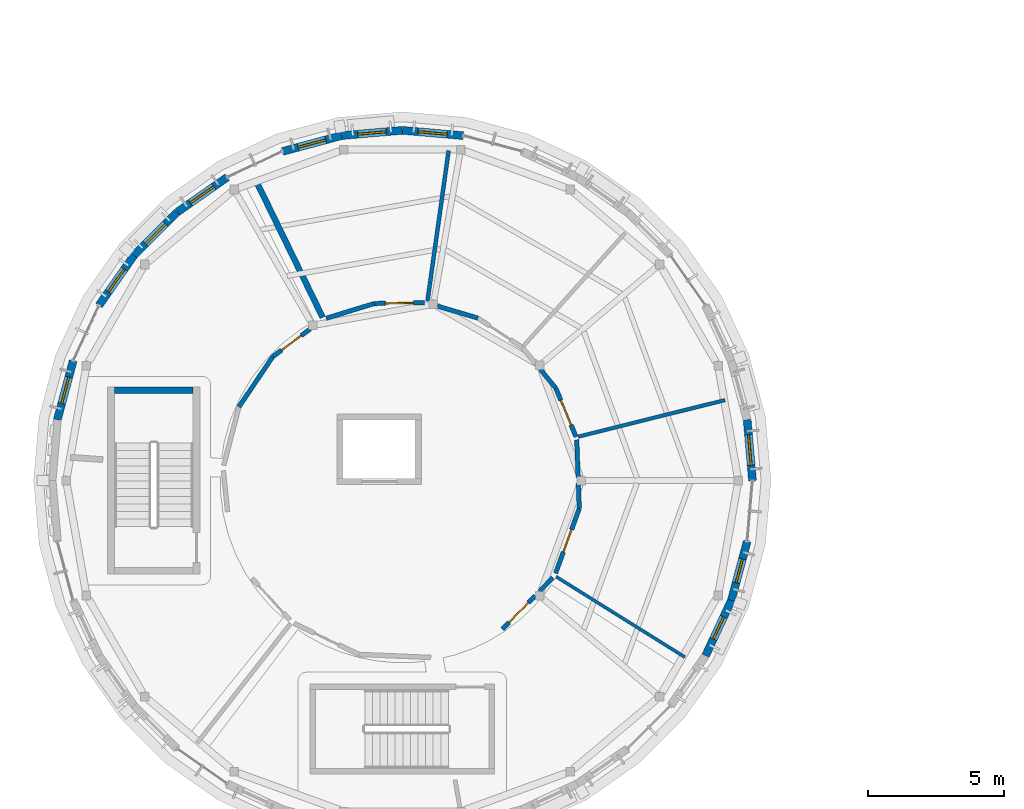
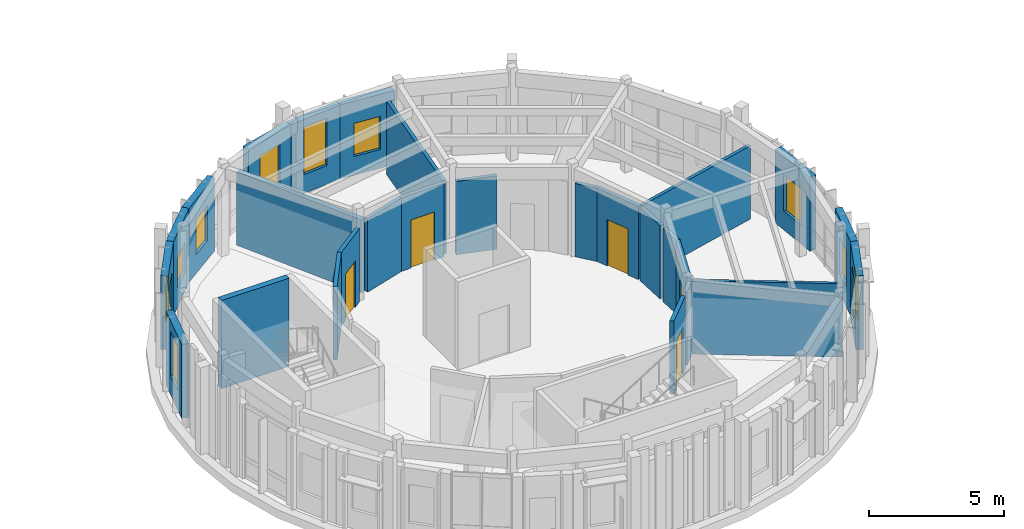
# One storey, part 18 of 37: 27 walls, 10 windows, 5 doors, 15 openings.
"""IFC4 building model written with IfcOpenShell, lengths in metres."""

from ifc_helpers import new_model, si_unit, direction, frame, frame_2d, origin, place, context, subcontext, project, spatial, rectangle, extrude, material, layer, layer_set, type_object, element, fill, save


model = new_model("IFC4")

# Units and contexts
model_context = context("Model", 3, precision=1e-05, world=origin(), true_north=direction((0.0, 1.0)))
body_context = subcontext(model_context, "Body", "Model", "MODEL_VIEW")
ifc_project = project(units=[si_unit("LENGTHUNIT", "METRE"), si_unit("AREAUNIT", "SQUARE_METRE"), si_unit("VOLUMEUNIT", "CUBIC_METRE"), si_unit("PLANEANGLEUNIT", "RADIAN"), si_unit("MASSUNIT", "GRAM", prefix="KILO")], contexts=[model_context])

# Site, building, storey
site_placement = place(None, origin())
site = spatial("IfcSite", under=ifc_project, at=site_placement, CompositionType="ELEMENT")
building_placement = place(site_placement, origin())
building = spatial("IfcBuilding", under=site, at=building_placement, Name="Aldenvaro Health Centre", CompositionType="ELEMENT")
storey_placement = place(building_placement, frame((0.0, 0.0, 12.949951171875)))
storey = spatial("IfcBuildingStorey", under=building, at=storey_placement, Name="L03", CompositionType="ELEMENT", Elevation=12.949951171875)

# Wall
ifc_material_1 = material(Name="Gypsum Stud Acoustic Assembly")
ifc_layer_1 = layer(ifc_material_1, 0.14501953125, Name="Gypsum Stud Acoustic Assembly")
ifc_layer_set_1 = layer_set([ifc_layer_1], Name="Gypsum Stud Acoustic Assembly")
wall_type_1 = type_object("IfcWallType", Name="WL-CLN-145", PredefinedType="PARTITIONING", material=ifc_layer_set_1)
wall_1_placement = place(storey_placement, frame((19.429931640625, 25.117919921875, 0.0), z_axis=(0.0, 0.0, 1.0), x_axis=(0.139279606871, 0.990253094471, 0.0)))
element("IfcWall", 1, at=wall_1_placement, inside=storey, type_object=wall_type_1, Name="D5 L03 clinical partition 8.1", PredefinedType="PARTITIONING", context=body_context, shape_type="SweptSolid", body=[
    extrude(rectangle(XDim=5.58642578125, YDim=0.14501953125, at=frame_2d((2.793212890625, 0.0))), origin(), (0.0, 0.0, 1.0), 3.323974609375),
])

# Wall, opening, door
ifc_layer_2 = layer(ifc_material_1, 0.1650390625, Name="Gypsum Stud Acoustic Assembly")
ifc_layer_set_2 = layer_set([ifc_layer_2], Name="Gypsum Stud Acoustic Assembly")
wall_type_2 = type_object("IfcWallType", Name="WL-COR-165", PredefinedType="PARTITIONING", material=ifc_layer_set_2)
wall_2_placement = place(storey_placement, frame((15.10693359375, 24.0830078125, 0.0), z_axis=(0.0, 0.0, 1.0), x_axis=(-0.802996920627, -0.595983175487, 0.0)))
wall_2 = element("IfcWall", 2, at=wall_2_placement, inside=storey, type_object=wall_type_2, Name="D5 L03 corridor wall 01.1", PredefinedType="PARTITIONING", context=body_context, shape_type="SweptSolid", body=[
    extrude(rectangle(XDim=1.71484375, YDim=0.1650390625, at=frame_2d((0.857421875, 0.0))), origin(), (0.0, 0.0, 1.0), 3.323974609375),
])
opening_1_placement = place(wall_2_placement, frame((0.406982421875, 0.0, 0.0)))
opening_1 = element("IfcOpeningElement", 3, at=opening_1_placement, cuts=wall_2, Name="Opening WD-01", PredefinedType="OPENING", context=body_context, shape_type="SweptSolid", body=[
    extrude(rectangle(XDim=0.89990234375, YDim=2.10009765625, at=frame_2d((0.449951171875, 1.050048828125))), frame((0.0, 0.092529296875, 0.0), z_axis=(0.0, -1.0, 0.0), x_axis=(1.0, 0.0, 0.0)), (0.0, 0.0, 1.0), 0.18505859375),
])
ifc_material_2 = material(Name="Moisture-Resistant Laminate Door")
door_type_1 = type_object("IfcDoorType", Name="DR-WC-01", OperationType="NOTDEFINED", PredefinedType="DOOR", material=ifc_material_2)
door_1_placement = place(opening_1_placement, origin())
door_1 = element("IfcDoor", 4, at=door_1_placement, inside=storey, type_object=door_type_1, Name="Cardiopulmonary Diagnostics Lab Door", OperationType="SINGLE_SWING_LEFT", OverallHeight=2.10009765625, OverallWidth=0.89990234375, PredefinedType="DOOR", context=body_context, shape_type="SweptSolid", body=[
    extrude(rectangle(XDim=0.89990234375, YDim=2.10009765625, at=frame_2d((0.449951171875, 1.050048828125))), frame((0.0, 0.02490234375, 0.0), z_axis=(0.0, -1.0, 0.0), x_axis=(1.0, 0.0, 0.0)), (0.0, 0.0, 1.0), 0.050048828125),
])
fill(opening_1, door_1)

# Wall
wall_3_placement = place(storey_placement, frame((13.72998046875, 23.06103515625, 0.0), z_axis=(0.0, 0.0, 1.0), x_axis=(-0.559294051813, -0.828969338159, 0.0)))
element("IfcWall", 5, at=wall_3_placement, inside=storey, type_object=wall_type_2, Name="D5 L03 corridor wall 01.2", PredefinedType="PARTITIONING", context=body_context, shape_type="SweptSolid", body=[
    extrude(rectangle(XDim=2.22802734375, YDim=0.1650390625, at=frame_2d((1.114013671875, 0.0))), origin(), (0.0, 0.0, 1.0), 3.323974609375),
])

# Wall, opening, door
wall_4_placement = place(storey_placement, frame((22.19091796875, 13.028076171875, 0.0), z_axis=(0.0, 0.0, 1.0), x_axis=(0.699827160014, 0.714312218926, 0.0)))
wall_4 = element("IfcWall", 6, at=wall_4_placement, inside=storey, type_object=wall_type_2, Name="D5 L03 corridor wall 04.1", PredefinedType="PARTITIONING", context=body_context, shape_type="SweptSolid", body=[
    extrude(rectangle(XDim=1.71923828125, YDim=0.1650390625, at=frame_2d((0.859619140625, 0.0))), origin(), (0.0, 0.0, 1.0), 3.323974609375),
])
opening_2_placement = place(wall_4_placement, frame((0.35400390625, 0.0, 0.0)))
opening_2 = element("IfcOpeningElement", 7, at=opening_2_placement, cuts=wall_4, Name="Opening D-19", PredefinedType="OPENING", context=body_context, shape_type="SweptSolid", body=[
    extrude(rectangle(XDim=1.010009765625, YDim=2.14990234375, at=frame_2d((0.5048828125, 1.074951171875))), frame((0.0, 0.092529296875, 0.0), z_axis=(0.0, -1.0, 0.0), x_axis=(1.0, 0.0, 0.0)), (0.0, 0.0, 1.0), 0.18505859375),
])
ifc_material_3 = material(Name="Exam Suite Timber Door", Category="wood")
door_type_2 = type_object("IfcDoorType", Name="DR-CLN-19", OperationType="NOTDEFINED", PredefinedType="DOOR", material=ifc_material_3)
door_2_placement = place(opening_2_placement, origin())
door_2 = element("IfcDoor", 8, at=door_2_placement, inside=storey, type_object=door_type_2, Name="Specialist Imaging Consulting Room Door", OperationType="SINGLE_SWING_RIGHT", OverallHeight=2.14990234375, OverallWidth=1.010009765625, PredefinedType="DOOR", context=body_context, shape_type="SweptSolid", body=[
    extrude(rectangle(XDim=1.010009765625, YDim=2.14990234375, at=frame_2d((0.5048828125, 1.074951171875))), frame((0.0, 0.02490234375, 0.0), z_axis=(0.0, -1.0, 0.0), x_axis=(1.0, 0.0, 0.0)), (0.0, 0.0, 1.0), 0.050048828125),
])
fill(opening_2, door_2)

# Wall
wall_5_placement = place(storey_placement, frame((23.554931640625, 14.419921875, 0.0), z_axis=(0.0, 0.0, 1.0), x_axis=(0.699921466631, 0.714219812487, 0.0)))
element("IfcWall", 9, at=wall_5_placement, inside=storey, type_object=wall_type_2, Name="D5 L03 corridor wall 04.2", PredefinedType="PARTITIONING", context=body_context, shape_type="SweptSolid", body=[
    extrude(rectangle(XDim=0.699951171875, YDim=0.1650390625, at=frame_2d((0.35009765625, 0.0))), origin(), (0.0, 0.0, 1.0), 3.323974609375),
])

# Wall, opening, door
wall_6_placement = place(storey_placement, frame((24.14794921875, 15.0859375, 0.0), z_axis=(0.0, 0.0, 1.0), x_axis=(0.343442799129, 0.939173596161, 0.0)))
wall_6 = element("IfcWall", 10, at=wall_6_placement, inside=storey, type_object=wall_type_2, Name="D5 L03 corridor wall 05.1", PredefinedType="PARTITIONING", context=body_context, shape_type="SweptSolid", body=[
    extrude(rectangle(XDim=2.536376953125, YDim=0.1650390625, at=frame_2d((1.26806640625, 0.0))), origin(), (0.0, 0.0, 1.0), 3.323974609375),
])
opening_3_placement = place(wall_6_placement, frame((0.827880859375, 0.0, 0.0)))
opening_3 = element("IfcOpeningElement", 11, at=opening_3_placement, cuts=wall_6, Name="Opening UD-01", PredefinedType="OPENING", context=body_context, shape_type="SweptSolid", body=[
    extrude(rectangle(XDim=0.8798828125, YDim=2.10009765625, at=frame_2d((0.43994140625, 1.050048828125))), frame((0.0, 0.092529296875, 0.0), z_axis=(0.0, -1.0, 0.0), x_axis=(1.0, 0.0, 0.0)), (0.0, 0.0, 1.0), 0.18505859375),
])
ifc_material_4 = material(Name="Clean Supply Store Door")
door_type_3 = type_object("IfcDoorType", Name="DR-STR-01", OperationType="NOTDEFINED", PredefinedType="DOOR", material=ifc_material_4)
door_3_placement = place(opening_3_placement, origin())
door_3 = element("IfcDoor", 12, at=door_3_placement, inside=storey, type_object=door_type_3, Name="Clean Equipment Store Door", OperationType="SINGLE_SWING_LEFT", OverallHeight=2.10009765625, OverallWidth=0.8798828125, PredefinedType="DOOR", context=body_context, shape_type="SweptSolid", body=[
    extrude(rectangle(XDim=0.8798828125, YDim=2.10009765625, at=frame_2d((0.43994140625, 1.050048828125))), frame((0.0, 0.02490234375, 0.0), z_axis=(0.0, -1.0, 0.0), x_axis=(1.0, 0.0, 0.0)), (0.0, 0.0, 1.0), 0.050048828125),
])
fill(opening_3, door_3)

# Walls
wall_7_placement = place(storey_placement, frame((25.01904296875, 17.468017578125, 0.0), z_axis=(0.0, 0.0, 1.0), x_axis=(-0.0359192981, 0.999354693802, 0.0)))
element("IfcWall", 13, at=wall_7_placement, inside=storey, type_object=wall_type_2, Name="D5 L03 corridor wall 05.2", PredefinedType="PARTITIONING", context=body_context, shape_type="SweptSolid", body=[
    extrude(rectangle(XDim=0.91748046875, YDim=0.1650390625, at=frame_2d((0.458740234375, 0.0))), origin(), (0.0, 0.0, 1.0), 3.323974609375),
])
wall_8_placement = place(storey_placement, frame((24.97705078125, 18.60595703125, 0.0), z_axis=(0.0, 0.0, 1.0), x_axis=(-0.035828677701, 0.999357946811, 0.0)))
element("IfcWall", 14, at=wall_8_placement, inside=storey, type_object=wall_type_2, Name="D5 L03 corridor wall 05.3", PredefinedType="PARTITIONING", context=body_context, shape_type="SweptSolid", body=[
    extrude(rectangle(XDim=1.39697265625, YDim=0.1650390625, at=frame_2d((0.698486328125, 0.0))), origin(), (0.0, 0.0, 1.0), 3.323974609375),
])

# Wall, opening, door
wall_9_placement = place(storey_placement, frame((24.902099609375, 20.10595703125, 0.0), z_axis=(0.0, 0.0, 1.0), x_axis=(-0.383758104383, 0.923433656155, 0.0)))
wall_9 = element("IfcWall", 15, at=wall_9_placement, inside=storey, type_object=wall_type_2, Name="D5 L03 corridor wall 06.1", PredefinedType="PARTITIONING", context=body_context, shape_type="SweptSolid", body=[
    extrude(rectangle(XDim=1.941650390625, YDim=0.1650390625, at=frame_2d((0.970703125, 0.0))), origin(), (0.0, 0.0, 1.0), 3.323974609375),
])
opening_4_placement = place(wall_9_placement, frame((0.48095703125, 0.0, 0.0)))
opening_4 = element("IfcOpeningElement", 16, at=opening_4_placement, cuts=wall_9, Name="Opening WD-03", PredefinedType="OPENING", context=body_context, shape_type="SweptSolid", body=[
    extrude(rectangle(XDim=0.97998046875, YDim=2.10009765625, at=frame_2d((0.489990234375, 1.050048828125))), frame((0.0, 0.092529296875, 0.0), z_axis=(0.0, -1.0, 0.0), x_axis=(1.0, 0.0, 0.0)), (0.0, 0.0, 1.0), 0.18505859375),
])
ifc_material_5 = material(Name="Bariatric Accessible Sanitary Door")
door_type_4 = type_object("IfcDoorType", Name="DR-WC-03", OperationType="NOTDEFINED", PredefinedType="DOOR", material=ifc_material_5)
door_4_placement = place(opening_4_placement, origin())
door_4 = element("IfcDoor", 17, at=door_4_placement, inside=storey, type_object=door_type_4, Name="Male Patient WC Door", OperationType="SINGLE_SWING_RIGHT", OverallHeight=2.10009765625, OverallWidth=0.97998046875, PredefinedType="DOOR", context=body_context, shape_type="SweptSolid", body=[
    extrude(rectangle(XDim=0.97998046875, YDim=2.10009765625, at=frame_2d((0.489990234375, 1.050048828125))), frame((0.0, 0.02490234375, 0.0), z_axis=(0.0, -1.0, 0.0), x_axis=(1.0, 0.0, 0.0)), (0.0, 0.0, 1.0), 0.050048828125),
])
fill(opening_4, door_4)

# Walls
wall_10_placement = place(storey_placement, frame((24.156982421875, 21.89892578125, 0.0), z_axis=(0.0, 0.0, 1.0), x_axis=(-0.634915552235, 0.772581543612, 0.0)))
element("IfcWall", 18, at=wall_10_placement, inside=storey, type_object=wall_type_2, Name="D5 L03 corridor wall 06.2", PredefinedType="PARTITIONING", context=body_context, shape_type="SweptSolid", body=[
    extrude(rectangle(XDim=0.88671875, YDim=0.1650390625, at=frame_2d((0.443359375, 0.0))), origin(), (0.0, 0.0, 1.0), 3.323974609375),
])
wall_11_placement = place(storey_placement, frame((21.2890625, 24.48193359375, 0.0), z_axis=(0.0, 0.0, 1.0), x_axis=(-0.958588240181, 0.284795691305, 0.0)))
element("IfcWall", 19, at=wall_11_placement, inside=storey, type_object=wall_type_2, Name="D5 L03 corridor wall 07.2", PredefinedType="PARTITIONING", context=body_context, shape_type="SweptSolid", body=[
    extrude(rectangle(XDim=1.562744140625, YDim=0.1650390625, at=frame_2d((0.78125, 0.0))), origin(), (0.0, 0.0, 1.0), 3.323974609375),
])

# Wall, opening, door
wall_12_placement = place(storey_placement, frame((19.321044921875, 25.049072265625, 0.0), z_axis=(0.0, 0.0, 1.0), x_axis=(-0.999868716198, -0.016203406073, 0.0)))
wall_12 = element("IfcWall", 20, at=wall_12_placement, inside=storey, type_object=wall_type_2, Name="D5 L03 corridor wall 08.1", PredefinedType="PARTITIONING", context=body_context, shape_type="SweptSolid", body=[
    extrude(rectangle(XDim=1.853271484375, YDim=0.1650390625, at=frame_2d((0.9267578125, 0.0))), origin(), (0.0, 0.0, 1.0), 3.323974609375),
])
opening_5_placement = place(wall_12_placement, frame((0.412109375, 0.0, 0.0)))
opening_5 = element("IfcOpeningElement", 21, at=opening_5_placement, cuts=wall_12, Name="Opening D-20", PredefinedType="OPENING", context=body_context, shape_type="SweptSolid", body=[
    extrude(rectangle(XDim=1.030029296875, YDim=2.179931640625, at=frame_2d((0.51513671875, 1.08984375))), frame((0.0, 0.092529296875, 0.0), z_axis=(0.0, -1.0, 0.0), x_axis=(1.0, 0.0, 0.0)), (0.0, 0.0, 1.0), 0.18505859375),
])
door_type_5 = type_object("IfcDoorType", Name="DR-CLN-20", OperationType="NOTDEFINED", PredefinedType="DOOR", material=ifc_material_3)
door_5_placement = place(opening_5_placement, origin())
door_5 = element("IfcDoor", 22, at=door_5_placement, inside=storey, type_object=door_type_5, Name="Staff Pantry Door", OperationType="SINGLE_SWING_RIGHT", OverallHeight=2.179931640625, OverallWidth=1.030029296875, PredefinedType="DOOR", context=body_context, shape_type="SweptSolid", body=[
    extrude(rectangle(XDim=1.030029296875, YDim=2.179931640625, at=frame_2d((0.51513671875, 1.08984375))), frame((0.0, 0.02490234375, 0.0), z_axis=(0.0, -1.0, 0.0), x_axis=(1.0, 0.0, 0.0)), (0.0, 0.0, 1.0), 0.050048828125),
])
fill(opening_5, door_5)

# Wall
wall_13_placement = place(storey_placement, frame((17.468017578125, 25.01904296875, 0.0), z_axis=(0.0, 0.0, 1.0), x_axis=(-0.955870034048, -0.293789853483, 0.0)))
element("IfcWall", 23, at=wall_13_placement, inside=storey, type_object=wall_type_2, Name="D5 L03 corridor wall 08.2", PredefinedType="PARTITIONING", context=body_context, shape_type="SweptSolid", body=[
    extrude(rectangle(XDim=1.854736328125, YDim=0.1650390625, at=frame_2d((0.92724609375, 0.0))), origin(), (0.0, 0.0, 1.0), 3.323974609375),
])

# Wall, opening, window
ifc_material_6 = material(Name="Cross-laminated timber CLT E1", Category="wood")
ifc_layer_3 = layer(ifc_material_6, 0.2900390625, Name="Cross-laminated timber CLT E1", Category="wood")
ifc_layer_set_3 = layer_set([ifc_layer_3], Name="Cross-laminated timber CLT E1")
wall_type_3 = type_object("IfcWallType", Name="WL-EXT-290", PredefinedType="ELEMENTEDWALL", material=ifc_layer_set_3)
wall_14_placement = place(storey_placement, frame((31.2041015625, 16.260009765625, 0.0), z_axis=(0.0, 0.0, 1.0), x_axis=(-0.258824721145, -0.96592430538, 0.0)))
wall_14 = element("IfcWall", 24, at=wall_14_placement, inside=storey, type_object=wall_type_3, Name="D5 L03 exterior wall 02", PredefinedType="ELEMENTEDWALL", context=body_context, shape_type="SweptSolid", body=[
    extrude(rectangle(XDim=2.248779296875, YDim=0.2900390625, at=frame_2d((1.12451171875, 0.0))), origin(), (0.0, 0.0, 1.0), 3.34912109375),
])
opening_6_placement = place(wall_14_placement, frame((0.674072265625, 0.0, 0.85009765625)))
opening_6 = element("IfcOpeningElement", 25, at=opening_6_placement, cuts=wall_14, Name="Opening W-06", PredefinedType="OPENING", context=body_context, shape_type="SweptSolid", body=[
    extrude(rectangle(XDim=0.89990234375, YDim=1.64990234375, at=frame_2d((0.449951171875, 0.824951171875))), frame((0.0, 0.155029296875, 0.0), z_axis=(0.0, -1.0, 0.0), x_axis=(1.0, 0.0, 0.0)), (0.0, 0.0, 1.0), 0.31005859375),
])
ifc_material_7 = material(Name="Thermally Broken Aluminium Low-E Glass", Category="aluminium")
window_type_1 = type_object("IfcWindowType", Name="WN-EXT-06", PartitioningType="SINGLE_PANEL", PredefinedType="WINDOW", material=ifc_material_7)
window_1_placement = place(opening_6_placement, origin())
window_1 = element("IfcWindow", 26, at=window_1_placement, inside=storey, type_object=window_type_1, Name="D5 L03 clinical window 02", OverallHeight=1.64990234375, OverallWidth=0.89990234375, PartitioningType="SINGLE_PANEL", PredefinedType="WINDOW", context=body_context, shape_type="SweptSolid", body=[
    extrude(rectangle(XDim=0.89990234375, YDim=1.64990234375, at=frame_2d((0.449951171875, 0.824951171875))), frame((0.0, 0.030029296875, 0.0), z_axis=(0.0, -1.0, 0.0), x_axis=(1.0, 0.0, 0.0)), (0.0, 0.0, 1.0), 0.06005859375),
])
fill(opening_6, window_1)

wall_15_placement = place(storey_placement, frame((30.6220703125, 14.087890625, 0.0), z_axis=(0.0, 0.0, 1.0), x_axis=(-0.422504983593, -0.906360600886, 0.0)))
wall_15 = element("IfcWall", 27, at=wall_15_placement, inside=storey, type_object=wall_type_3, Name="D5 L03 exterior wall 03", PredefinedType="ELEMENTEDWALL", context=body_context, shape_type="SweptSolid", body=[
    extrude(rectangle(XDim=2.248291015625, YDim=0.2900390625, at=frame_2d((1.1240234375, 0.0))), origin(), (0.0, 0.0, 1.0), 3.34912109375),
])
opening_7_placement = place(wall_15_placement, frame((0.674072265625, 0.0, 0.85009765625)))
opening_7 = element("IfcOpeningElement", 28, at=opening_7_placement, cuts=wall_15, Name="Opening W-07", PredefinedType="OPENING", context=body_context, shape_type="SweptSolid", body=[
    extrude(rectangle(XDim=0.89990234375, YDim=1.89990234375, at=frame_2d((0.449951171875, 0.949951171875))), frame((0.0, 0.155029296875, 0.0), z_axis=(0.0, -1.0, 0.0), x_axis=(1.0, 0.0, 0.0)), (0.0, 0.0, 1.0), 0.31005859375),
])
window_type_2 = type_object("IfcWindowType", Name="WN-EXT-07", PartitioningType="SINGLE_PANEL", PredefinedType="WINDOW", material=ifc_material_7)
window_2_placement = place(opening_7_placement, origin())
window_2 = element("IfcWindow", 29, at=window_2_placement, inside=storey, type_object=window_type_2, Name="D5 L03 clinical window 03", OverallHeight=1.89990234375, OverallWidth=0.89990234375, PartitioningType="SINGLE_PANEL", PredefinedType="WINDOW", context=body_context, shape_type="SweptSolid", body=[
    extrude(rectangle(XDim=0.89990234375, YDim=1.89990234375, at=frame_2d((0.449951171875, 0.949951171875))), frame((0.0, 0.030029296875, 0.0), z_axis=(0.0, -1.0, 0.0), x_axis=(1.0, 0.0, 0.0)), (0.0, 0.0, 1.0), 0.06005859375),
])
fill(opening_7, window_2)

wall_16_placement = place(storey_placement, frame((5.7958984375, 20.739990234375, 0.0), z_axis=(0.0, 0.0, 1.0), x_axis=(0.258824721145, 0.96592430538, 0.0)))
wall_16 = element("IfcWall", 30, at=wall_16_placement, inside=storey, type_object=wall_type_3, Name="D5 L03 exterior wall 20", PredefinedType="ELEMENTEDWALL", context=body_context, shape_type="SweptSolid", body=[
    extrude(rectangle(XDim=2.248779296875, YDim=0.2900390625, at=frame_2d((1.12451171875, 0.0))), origin(), (0.0, 0.0, 1.0), 3.34912109375),
])
opening_8_placement = place(wall_16_placement, frame((0.6240234375, 0.0, 0.85009765625)))
opening_8 = element("IfcOpeningElement", 31, at=opening_8_placement, cuts=wall_16, Name="Opening W-17", PredefinedType="OPENING", context=body_context, shape_type="SweptSolid", body=[
    extrude(rectangle(XDim=1.0, YDim=2.0, at=frame_2d((0.5, 1.0))), frame((0.0, 0.155029296875, 0.0), z_axis=(0.0, -1.0, 0.0), x_axis=(1.0, 0.0, 0.0)), (0.0, 0.0, 1.0), 0.31005859375),
])
window_type_3 = type_object("IfcWindowType", Name="WN-EXT-17", PartitioningType="SINGLE_PANEL", PredefinedType="WINDOW", material=ifc_material_7)
window_3_placement = place(opening_8_placement, origin())
window_3 = element("IfcWindow", 32, at=window_3_placement, inside=storey, type_object=window_type_3, Name="D5 L03 clinical window 20", OverallHeight=2.0, OverallWidth=1.0, PartitioningType="SINGLE_PANEL", PredefinedType="WINDOW", context=body_context, shape_type="SweptSolid", body=[
    extrude(rectangle(XDim=1.0, YDim=2.0, at=frame_2d((0.5, 1.0))), frame((0.0, 0.030029296875, 0.0), z_axis=(0.0, -1.0, 0.0), x_axis=(1.0, 0.0, 0.0)), (0.0, 0.0, 1.0), 0.06005859375),
])
fill(opening_8, window_3)

wall_17_placement = place(storey_placement, frame((7.327880859375, 24.949951171875, 0.0), z_axis=(0.0, 0.0, 1.0), x_axis=(0.573644482107, 0.819104393925, 0.0)))
wall_17 = element("IfcWall", 33, at=wall_17_placement, inside=storey, type_object=wall_type_3, Name="D5 L03 exterior wall 22", PredefinedType="ELEMENTEDWALL", context=body_context, shape_type="SweptSolid", body=[
    extrude(rectangle(XDim=2.248779296875, YDim=0.2900390625, at=frame_2d((1.12451171875, 0.0))), origin(), (0.0, 0.0, 1.0), 3.34912109375),
])
opening_9_placement = place(wall_17_placement, frame((0.614013671875, 0.0, 0.85009765625)))
opening_9 = element("IfcOpeningElement", 34, at=opening_9_placement, cuts=wall_17, Name="Opening W-18", PredefinedType="OPENING", context=body_context, shape_type="SweptSolid", body=[
    extrude(rectangle(XDim=1.02001953125, YDim=1.60009765625, at=frame_2d((0.510009765625, 0.800048828125))), frame((0.0, 0.155029296875, 0.0), z_axis=(0.0, -1.0, 0.0), x_axis=(1.0, 0.0, 0.0)), (0.0, 0.0, 1.0), 0.31005859375),
])
window_type_4 = type_object("IfcWindowType", Name="WN-EXT-18", PartitioningType="SINGLE_PANEL", PredefinedType="WINDOW", material=ifc_material_7)
window_4_placement = place(opening_9_placement, origin())
window_4 = element("IfcWindow", 35, at=window_4_placement, inside=storey, type_object=window_type_4, Name="D5 L03 clinical window 22", OverallHeight=1.60009765625, OverallWidth=1.02001953125, PartitioningType="SINGLE_PANEL", PredefinedType="WINDOW", context=body_context, shape_type="SweptSolid", body=[
    extrude(rectangle(XDim=1.02001953125, YDim=1.60009765625, at=frame_2d((0.510009765625, 0.800048828125))), frame((0.0, 0.030029296875, 0.0), z_axis=(0.0, -1.0, 0.0), x_axis=(1.0, 0.0, 0.0)), (0.0, 0.0, 1.0), 0.06005859375),
])
fill(opening_9, window_4)

wall_18_placement = place(storey_placement, frame((8.617919921875, 26.7919921875, 0.0), z_axis=(0.0, 0.0, 1.0), x_axis=(0.707106781187, 0.707106781187, 0.0)))
wall_18 = element("IfcWall", 36, at=wall_18_placement, inside=storey, type_object=wall_type_3, Name="D5 L03 exterior wall 23", PredefinedType="ELEMENTEDWALL", context=body_context, shape_type="SweptSolid", body=[
    extrude(rectangle(XDim=2.248779296875, YDim=0.2900390625, at=frame_2d((1.12451171875, 0.0))), origin(), (0.0, 0.0, 1.0), 3.34912109375),
])
opening_10_placement = place(wall_18_placement, frame((0.59912109375, 0.0, 0.85009765625)))
opening_10 = element("IfcOpeningElement", 37, at=opening_10_placement, cuts=wall_18, Name="Opening W-19", PredefinedType="OPENING", context=body_context, shape_type="SweptSolid", body=[
    extrude(rectangle(XDim=1.050048828125, YDim=1.35009765625, at=frame_2d((0.52490234375, 0.675048828125))), frame((0.0, 0.155029296875, 0.0), z_axis=(0.0, -1.0, 0.0), x_axis=(1.0, 0.0, 0.0)), (0.0, 0.0, 1.0), 0.31005859375),
])
window_type_5 = type_object("IfcWindowType", Name="WN-EXT-19", PartitioningType="SINGLE_PANEL", PredefinedType="WINDOW", material=ifc_material_7)
window_5_placement = place(opening_10_placement, origin())
window_5 = element("IfcWindow", 38, at=window_5_placement, inside=storey, type_object=window_type_5, Name="D5 L03 clinical window 23", OverallHeight=1.35009765625, OverallWidth=1.050048828125, PartitioningType="SINGLE_PANEL", PredefinedType="WINDOW", context=body_context, shape_type="SweptSolid", body=[
    extrude(rectangle(XDim=1.050048828125, YDim=1.35009765625, at=frame_2d((0.52490234375, 0.675048828125))), frame((0.0, 0.030029296875, 0.0), z_axis=(0.0, -1.0, 0.0), x_axis=(1.0, 0.0, 0.0)), (0.0, 0.0, 1.0), 0.06005859375),
])
fill(opening_10, window_5)

wall_19_placement = place(storey_placement, frame((10.2080078125, 28.382080078125, 0.0), z_axis=(0.0, 0.0, 1.0), x_axis=(0.819104393925, 0.573644482107, 0.0)))
wall_19 = element("IfcWall", 39, at=wall_19_placement, inside=storey, type_object=wall_type_3, Name="D5 L03 exterior wall 24", PredefinedType="ELEMENTEDWALL", context=body_context, shape_type="SweptSolid", body=[
    extrude(rectangle(XDim=2.248779296875, YDim=0.2900390625, at=frame_2d((1.12451171875, 0.0))), origin(), (0.0, 0.0, 1.0), 3.34912109375),
])
opening_11_placement = place(wall_19_placement, frame((0.59912109375, 0.0, 0.85009765625)))
opening_11 = element("IfcOpeningElement", 40, at=opening_11_placement, cuts=wall_19, Name="Opening W-20", PredefinedType="OPENING", context=body_context, shape_type="SweptSolid", body=[
    extrude(rectangle(XDim=1.050048828125, YDim=1.60009765625, at=frame_2d((0.52490234375, 0.800048828125))), frame((0.0, 0.155029296875, 0.0), z_axis=(0.0, -1.0, 0.0), x_axis=(1.0, 0.0, 0.0)), (0.0, 0.0, 1.0), 0.31005859375),
])
window_type_6 = type_object("IfcWindowType", Name="WN-EXT-20", PartitioningType="SINGLE_PANEL", PredefinedType="WINDOW", material=ifc_material_7)
window_6_placement = place(opening_11_placement, origin())
window_6 = element("IfcWindow", 41, at=window_6_placement, inside=storey, type_object=window_type_6, Name="D5 L03 clinical window 24", OverallHeight=1.60009765625, OverallWidth=1.050048828125, PartitioningType="SINGLE_PANEL", PredefinedType="WINDOW", context=body_context, shape_type="SweptSolid", body=[
    extrude(rectangle(XDim=1.050048828125, YDim=1.60009765625, at=frame_2d((0.52490234375, 0.800048828125))), frame((0.0, 0.030029296875, 0.0), z_axis=(0.0, -1.0, 0.0), x_axis=(1.0, 0.0, 0.0)), (0.0, 0.0, 1.0), 0.06005859375),
])
fill(opening_11, window_6)

wall_20_placement = place(storey_placement, frame((14.087890625, 30.6220703125, 0.0), z_axis=(0.0, 0.0, 1.0), x_axis=(0.96592430538, 0.258824721145, 0.0)))
wall_20 = element("IfcWall", 42, at=wall_20_placement, inside=storey, type_object=wall_type_3, Name="D5 L03 exterior wall 26", PredefinedType="ELEMENTEDWALL", context=body_context, shape_type="SweptSolid", body=[
    extrude(rectangle(XDim=2.248779296875, YDim=0.2900390625, at=frame_2d((1.12451171875, 0.0))), origin(), (0.0, 0.0, 1.0), 3.34912109375),
])
opening_12_placement = place(wall_20_placement, frame((0.59912109375, 0.0, 0.85009765625)))
opening_12 = element("IfcOpeningElement", 43, at=opening_12_placement, cuts=wall_20, Name="Opening W-21", PredefinedType="OPENING", context=body_context, shape_type="SweptSolid", body=[
    extrude(rectangle(XDim=1.050048828125, YDim=1.89990234375, at=frame_2d((0.52490234375, 0.949951171875))), frame((0.0, 0.155029296875, 0.0), z_axis=(0.0, -1.0, 0.0), x_axis=(1.0, 0.0, 0.0)), (0.0, 0.0, 1.0), 0.31005859375),
])
window_type_7 = type_object("IfcWindowType", Name="WN-EXT-21", PartitioningType="SINGLE_PANEL", PredefinedType="WINDOW", material=ifc_material_7)
window_7_placement = place(opening_12_placement, origin())
window_7 = element("IfcWindow", 44, at=window_7_placement, inside=storey, type_object=window_type_7, Name="D5 L03 clinical window 26", OverallHeight=1.89990234375, OverallWidth=1.050048828125, PartitioningType="SINGLE_PANEL", PredefinedType="WINDOW", context=body_context, shape_type="SweptSolid", body=[
    extrude(rectangle(XDim=1.050048828125, YDim=1.89990234375, at=frame_2d((0.52490234375, 0.949951171875))), frame((0.0, 0.030029296875, 0.0), z_axis=(0.0, -1.0, 0.0), x_axis=(1.0, 0.0, 0.0)), (0.0, 0.0, 1.0), 0.06005859375),
])
fill(opening_12, window_7)

wall_21_placement = place(storey_placement, frame((16.260009765625, 31.2041015625, 0.0), z_axis=(0.0, 0.0, 1.0), x_axis=(0.996201374201, 0.087079400775, 0.0)))
wall_21 = element("IfcWall", 45, at=wall_21_placement, inside=storey, type_object=wall_type_3, Name="D5 L03 exterior wall 27", PredefinedType="ELEMENTEDWALL", context=body_context, shape_type="SweptSolid", body=[
    extrude(rectangle(XDim=2.24853515625, YDim=0.2900390625, at=frame_2d((1.124267578125, 0.0))), origin(), (0.0, 0.0, 1.0), 3.34912109375),
])
opening_13_placement = place(wall_21_placement, frame((0.59912109375, 0.0, 0.85009765625)))
opening_13 = element("IfcOpeningElement", 46, at=opening_13_placement, cuts=wall_21, Name="Opening W-22", PredefinedType="OPENING", context=body_context, shape_type="SweptSolid", body=[
    extrude(rectangle(XDim=1.050048828125, YDim=2.14990234375, at=frame_2d((0.52490234375, 1.074951171875))), frame((0.0, 0.155029296875, 0.0), z_axis=(0.0, -1.0, 0.0), x_axis=(1.0, 0.0, 0.0)), (0.0, 0.0, 1.0), 0.31005859375),
])
window_type_8 = type_object("IfcWindowType", Name="WN-EXT-22", PartitioningType="SINGLE_PANEL", PredefinedType="WINDOW", material=ifc_material_7)
window_8_placement = place(opening_13_placement, origin())
window_8 = element("IfcWindow", 47, at=window_8_placement, inside=storey, type_object=window_type_8, Name="D5 L03 clinical window 27", OverallHeight=2.14990234375, OverallWidth=1.050048828125, PartitioningType="SINGLE_PANEL", PredefinedType="WINDOW", context=body_context, shape_type="SweptSolid", body=[
    extrude(rectangle(XDim=1.050048828125, YDim=2.14990234375, at=frame_2d((0.52490234375, 1.074951171875))), frame((0.0, 0.030029296875, 0.0), z_axis=(0.0, -1.0, 0.0), x_axis=(1.0, 0.0, 0.0)), (0.0, 0.0, 1.0), 0.06005859375),
])
fill(opening_13, window_8)

wall_22_placement = place(storey_placement, frame((18.5, 31.39990234375, 0.0), z_axis=(0.0, 0.0, 1.0), x_axis=(0.996201374201, -0.087079400775, 0.0)))
wall_22 = element("IfcWall", 48, at=wall_22_placement, inside=storey, type_object=wall_type_3, Name="D5 L03 exterior wall 28", PredefinedType="ELEMENTEDWALL", context=body_context, shape_type="SweptSolid", body=[
    extrude(rectangle(XDim=2.24853515625, YDim=0.2900390625, at=frame_2d((1.124267578125, 0.0))), origin(), (0.0, 0.0, 1.0), 3.34912109375),
])
opening_14_placement = place(wall_22_placement, frame((0.583984375, 0.0, 0.85009765625)))
opening_14 = element("IfcOpeningElement", 49, at=opening_14_placement, cuts=wall_22, Name="Opening W-23", PredefinedType="OPENING", context=body_context, shape_type="SweptSolid", body=[
    extrude(rectangle(XDim=1.080078125, YDim=1.5, at=frame_2d((0.5400390625, 0.75))), frame((0.0, 0.155029296875, 0.0), z_axis=(0.0, -1.0, 0.0), x_axis=(1.0, 0.0, 0.0)), (0.0, 0.0, 1.0), 0.31005859375),
])
window_type_9 = type_object("IfcWindowType", Name="WN-EXT-23", PartitioningType="SINGLE_PANEL", PredefinedType="WINDOW", material=ifc_material_7)
window_9_placement = place(opening_14_placement, origin())
window_9 = element("IfcWindow", 50, at=window_9_placement, inside=storey, type_object=window_type_9, Name="D5 L03 clinical window 28", OverallHeight=1.5, OverallWidth=1.080078125, PartitioningType="SINGLE_PANEL", PredefinedType="WINDOW", context=body_context, shape_type="SweptSolid", body=[
    extrude(rectangle(XDim=1.080078125, YDim=1.5, at=frame_2d((0.5400390625, 0.75))), frame((0.0, 0.030029296875, 0.0), z_axis=(0.0, -1.0, 0.0), x_axis=(1.0, 0.0, 0.0)), (0.0, 0.0, 1.0), 0.06005859375),
])
fill(opening_14, window_9)

wall_23_placement = place(storey_placement, frame((31.2041015625, 20.739990234375, 0.0), z_axis=(0.0, 0.0, 1.0), x_axis=(0.087079400775, -0.996201374201, 0.0)))
wall_23 = element("IfcWall", 51, at=wall_23_placement, inside=storey, type_object=wall_type_3, Name="D5 L03 exterior wall 36", PredefinedType="ELEMENTEDWALL", context=body_context, shape_type="SweptSolid", body=[
    extrude(rectangle(XDim=2.24853515625, YDim=0.2900390625, at=frame_2d((1.124267578125, 0.0))), origin(), (0.0, 0.0, 1.0), 3.34912109375),
])
opening_15_placement = place(wall_23_placement, frame((0.56396484375, 0.0, 0.85009765625)))
opening_15 = element("IfcOpeningElement", 52, at=opening_15_placement, cuts=wall_23, Name="Opening W-29", PredefinedType="OPENING", context=body_context, shape_type="SweptSolid", body=[
    extrude(rectangle(XDim=1.1201171875, YDim=1.64990234375, at=frame_2d((0.56005859375, 0.824951171875))), frame((0.0, 0.155029296875, 0.0), z_axis=(0.0, -1.0, 0.0), x_axis=(1.0, 0.0, 0.0)), (0.0, 0.0, 1.0), 0.31005859375),
])
window_type_10 = type_object("IfcWindowType", Name="WN-EXT-29", PartitioningType="SINGLE_PANEL", PredefinedType="WINDOW", material=ifc_material_7)
window_10_placement = place(opening_15_placement, origin())
window_10 = element("IfcWindow", 53, at=window_10_placement, inside=storey, type_object=window_type_10, Name="D5 L03 clinical window 36", OverallHeight=1.64990234375, OverallWidth=1.1201171875, PartitioningType="SINGLE_PANEL", PredefinedType="WINDOW", context=body_context, shape_type="SweptSolid", body=[
    extrude(rectangle(XDim=1.1201171875, YDim=1.64990234375, at=frame_2d((0.56005859375, 0.824951171875))), frame((0.0, 0.030029296875, 0.0), z_axis=(0.0, -1.0, 0.0), x_axis=(1.0, 0.0, 0.0)), (0.0, 0.0, 1.0), 0.06005859375),
])
fill(opening_15, window_10)

# Walls
ifc_material_8 = material(Name="Concrete f'c 35 MPa", Category="concrete")
ifc_layer_4 = layer(ifc_material_8, 0.215087890625, Name="Concrete f'c 35 MPa", Category="concrete")
ifc_layer_set_4 = layer_set([ifc_layer_4], Name="Concrete f'c 35 MPa")
wall_type_4 = type_object("IfcWallType", Name="WL-IMG-215", PredefinedType="SOLIDWALL", material=ifc_layer_set_4)
wall_24_placement = place(storey_placement, frame((15.570068359375, 24.507080078125, 0.0), z_axis=(0.0, 0.0, 1.0), x_axis=(-0.438391683607, 0.898784029533, 0.0)))
element("IfcWall", 54, at=wall_24_placement, inside=storey, type_object=wall_type_4, Name="D5 L03 clinical partition 1.1", PredefinedType="SOLIDWALL", context=body_context, shape_type="SweptSolid", body=[
    extrude(rectangle(XDim=5.570556640625, YDim=0.215087890625, at=frame_2d((2.78515625, 0.0))), origin(), (0.0, 0.0, 1.0), 3.323974609375),
])
ifc_material_9 = material(Name="Concrete f'c 40 MPa", Category="concrete")
ifc_layer_5 = layer(ifc_material_9, 0.25, Name="Concrete f'c 40 MPa", Category="concrete")
ifc_layer_set_5 = layer_set([ifc_layer_5], Name="Concrete f'c 40 MPa")
wall_type_5 = type_object("IfcWallType", Name="WL-SHAFT-250", PredefinedType="SHEAR", material=ifc_layer_set_5)
wall_25_placement = place(storey_placement, frame((10.800048828125, 21.824951171875, 0.0), z_axis=(0.0, 0.0, 1.0), x_axis=(-1.0, 0.0, 0.0)))
element("IfcWall", 55, at=wall_25_placement, inside=storey, type_object=wall_type_5, Name="ST-09 L03 side core wall R", PredefinedType="SHEAR", context=body_context, shape_type="SweptSolid", body=[
    extrude(rectangle(XDim=2.900146484375, YDim=0.25, at=frame_2d((1.4501953125, 0.0))), origin(), (0.0, 0.0, 1.0), 3.9951171875),
])
ifc_material_10 = material(Name="Light Gauge Steel Stud Partition", Category="steel")
ifc_layer_6 = layer(ifc_material_10, 0.114990234375, Name="Light Gauge Steel Stud Partition", Category="steel")
ifc_layer_set_6 = layer_set([ifc_layer_6], Name="Light Gauge Steel Stud Partition")
wall_type_6 = type_object("IfcWallType", Name="WL-SUB-115", PredefinedType="PARTITIONING", material=ifc_layer_set_6)
wall_26_placement = place(storey_placement, frame((24.16796875, 14.958984375, 0.0), z_axis=(0.0, 0.0, 1.0), x_axis=(0.847976206066, -0.530034295066, 0.0)))
element("IfcWall", 56, at=wall_26_placement, inside=storey, type_object=wall_type_6, Name="D5 L03 clinical partition 5.1", PredefinedType="PARTITIONING", context=body_context, shape_type="SweptSolid", body=[
    extrude(rectangle(XDim=5.58642578125, YDim=0.114990234375, at=frame_2d((2.793212890625, 0.0))), origin(), (0.0, 0.0, 1.0), 3.323974609375),
])
ifc_material_11 = material(Name="Moisture-Resistant Plumbing Stud Wall")
ifc_layer_7 = layer(ifc_material_11, 0.135009765625, Name="Moisture-Resistant Plumbing Stud Wall")
ifc_layer_set_7 = layer_set([ifc_layer_7], Name="Moisture-Resistant Plumbing Stud Wall")
wall_type_7 = type_object("IfcWallType", Name="WL-WET-135", PredefinedType="PLUMBINGWALL", material=ifc_layer_set_7)
wall_27_placement = place(storey_placement, frame((24.98388671875, 20.116943359375, 0.0), z_axis=(0.0, 0.0, 1.0), x_axis=(0.970325240459, 0.2418034899, 0.0)))
element("IfcWall", 57, at=wall_27_placement, inside=storey, type_object=wall_type_7, Name="D5 L03 clinical partition 6.1", PredefinedType="PLUMBINGWALL", context=body_context, shape_type="SweptSolid", body=[
    extrude(rectangle(XDim=5.5712890625, YDim=0.135009765625, at=frame_2d((2.78564453125, 0.0))), origin(), (0.0, 0.0, 1.0), 3.323974609375),
])

save(model, "model.ifc")
